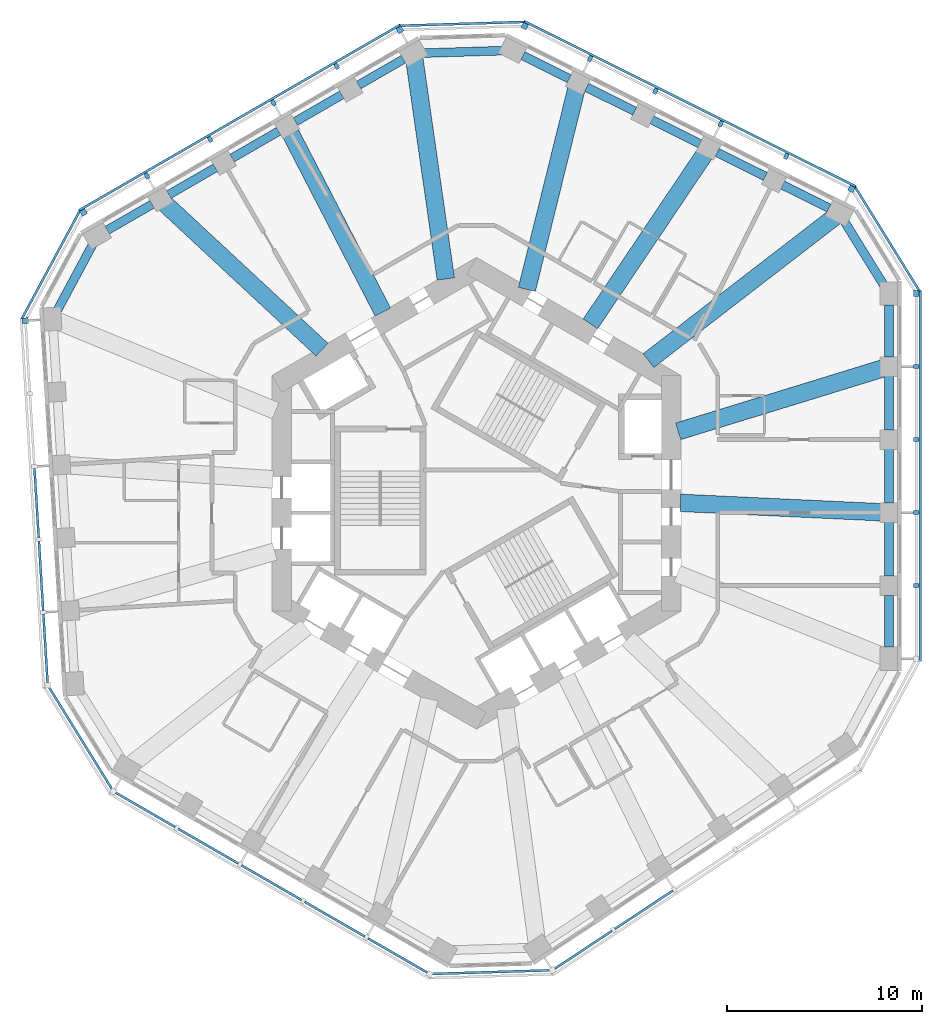
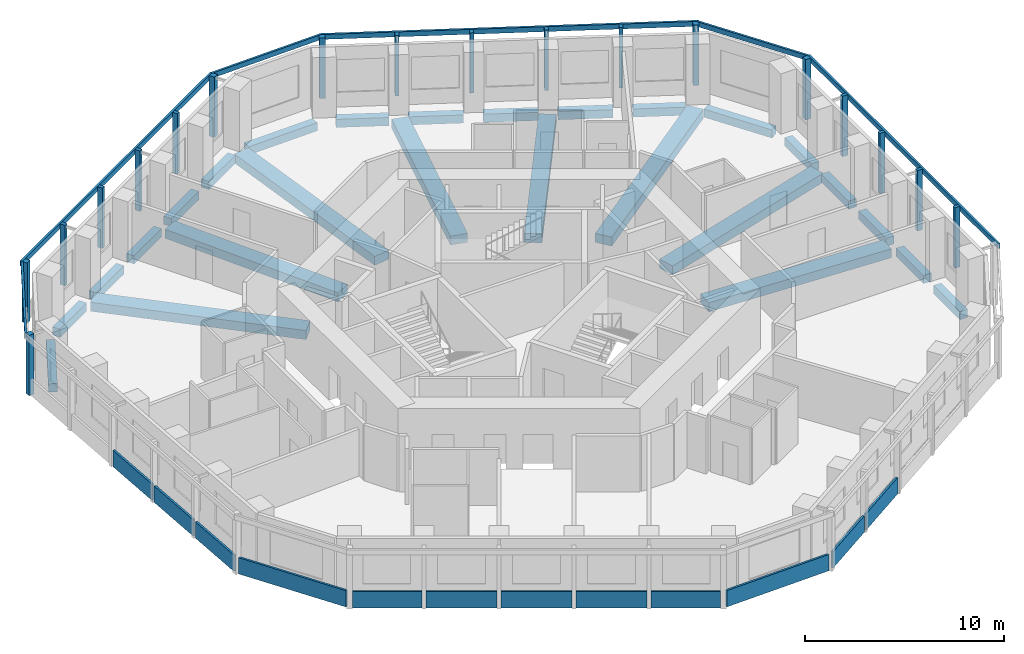
# One storey, part 2 of 11: 26 beams, 24 members, 12 plates, 11 elements without a shape of their own.
"""IFC4 building model written with IfcOpenShell, lengths in metres."""

from ifc_helpers import new_model, si_unit, direction, frame, origin, origin_2d, place, context, subcontext, project, spatial, rectangle, extrude, material, layer, layer_set, material_profile, profile_set, type_object, element, aggregate, save


model = new_model("IFC4")

# Units and contexts
model_context = context("Model", 3, precision=1e-05, world=origin(), true_north=direction((0.0, 1.0)))
body_context = subcontext(model_context, "Body", "Model", "MODEL_VIEW")
ifc_project = project(units=[si_unit("LENGTHUNIT", "METRE"), si_unit("AREAUNIT", "SQUARE_METRE"), si_unit("VOLUMEUNIT", "CUBIC_METRE"), si_unit("PLANEANGLEUNIT", "RADIAN"), si_unit("MASSUNIT", "GRAM", prefix="KILO")], contexts=[model_context])

# Site, building, storey
site_placement = place(None, origin())
site = spatial("IfcSite", under=ifc_project, at=site_placement, CompositionType="ELEMENT")
building_placement = place(site_placement, origin())
building = spatial("IfcBuilding", under=site, at=building_placement, Name="Vanh Sen Convention Tower", CompositionType="ELEMENT")
storey_placement = place(building_placement, frame((0.0, 0.0, 176.199951171875)))
storey = spatial("IfcBuildingStorey", under=building, at=storey_placement, Name="L43", CompositionType="ELEMENT", Elevation=176.199951171875)

# Curtain wall, member
ifc_material_1 = material(Name="Concrete C50/60", Category="concrete")
curtain_wall_type = type_object("IfcCurtainWallType", Name="Outer skin office zone", PredefinedType="NOTDEFINED", material=ifc_material_1)
curtain_wall_1_placement = place(storey_placement, origin())
curtain_wall_1 = element("IfcCurtainWall", 1, at=curtain_wall_1_placement, inside=storey, type_object=curtain_wall_type, Name="OUTER SKIN E L43", PredefinedType="NOTDEFINED")
ifc_material_profile_1 = material_profile(ifc_material_1, rectangle(XDim=0.300048828125, YDim=0.300048828125, at=origin_2d()), Name="Outer skin precast corner fin 300 x 300")
ifc_profile_set_1 = profile_set([ifc_material_profile_1], Name="Concrete C50/60")
member_type_1 = type_object("IfcMemberType", Name="Outer skin precast corner fin 300 x 300", PredefinedType="MULLION", material=ifc_profile_set_1)
member_1_placement = place(storey_placement, frame((22.60009765625, 10.26953125, 0.0), z_axis=(0.0, 0.0, 1.0), x_axis=(0.0, 1.0, 0.0)))
member_1 = element("IfcMember", 2, at=member_1_placement, type_object=member_type_1, Name="OUTER SKIN CORNER FIN 6 E L43", PredefinedType="MULLION", context=body_context, shape_type="SweptSolid", body=[
    extrude(rectangle(XDim=0.300048828125, YDim=0.300048828125, at=origin_2d()), origin(), (0.0, 0.0, 1.0), 3.699951171875),
])

# Curtain wall, members
curtain_wall_2_placement = place(storey_placement, origin())
curtain_wall_2 = element("IfcCurtainWall", 3, at=curtain_wall_2_placement, inside=storey, type_object=curtain_wall_type, Name="OUTER SKIN NE L43", PredefinedType="NOTDEFINED")
member_2_placement = place(storey_placement, frame((19.274658203125, 15.643310546875, 0.0), z_axis=(0.0, 0.0, 1.0), x_axis=(-0.894934361602, 0.44619781311, 0.0)))
member_2 = element("IfcMember", 4, at=member_2_placement, type_object=member_type_1, Name="OUTER SKIN CORNER FIN 1 NE L43", PredefinedType="MULLION", context=body_context, shape_type="SweptSolid", body=[
    extrude(rectangle(XDim=0.300048828125, YDim=0.300048828125, at=origin_2d()), origin(), (0.0, 0.0, 1.0), 3.699951171875),
])
member_3_placement = place(storey_placement, frame((2.476318359375, 24.0185546875, 0.0), z_axis=(0.0, 0.0, 1.0), x_axis=(-0.894934361602, 0.44619781311, 0.0)))
member_3 = element("IfcMember", 5, at=member_3_placement, type_object=member_type_1, Name="OUTER SKIN CORNER FIN 6 NE L43", PredefinedType="MULLION", context=body_context, shape_type="SweptSolid", body=[
    extrude(rectangle(XDim=0.300048828125, YDim=0.300048828125, at=origin_2d()), origin(), (0.0, 0.0, 1.0), 3.699951171875),
])

curtain_wall_3_placement = place(storey_placement, origin())
curtain_wall_3 = element("IfcCurtainWall", 6, at=curtain_wall_3_placement, inside=storey, type_object=curtain_wall_type, Name="OUTER SKIN NW L43", PredefinedType="NOTDEFINED")
member_4_placement = place(storey_placement, frame((-3.93798828125, 23.822509765625, 0.0), z_axis=(0.0, 0.0, 1.0), x_axis=(-0.866025403784, -0.5, 0.0)))
member_4 = element("IfcMember", 7, at=member_4_placement, type_object=member_type_1, Name="OUTER SKIN CORNER FIN 1 NW L43", PredefinedType="MULLION", context=body_context, shape_type="SweptSolid", body=[
    extrude(rectangle(XDim=0.300048828125, YDim=0.300048828125, at=origin_2d()), origin(), (0.0, 0.0, 1.0), 3.699951171875),
])
member_5_placement = place(storey_placement, frame((-20.193603515625, 14.4375, 0.0), z_axis=(0.0, 0.0, 1.0), x_axis=(-0.866025403784, -0.5, 0.0)))
member_5 = element("IfcMember", 8, at=member_5_placement, type_object=member_type_1, Name="OUTER SKIN CORNER FIN 6 NW L43", PredefinedType="MULLION", context=body_context, shape_type="SweptSolid", body=[
    extrude(rectangle(XDim=0.300048828125, YDim=0.300048828125, at=origin_2d()), origin(), (0.0, 0.0, 1.0), 3.699951171875),
])

# Curtain wall, member
curtain_wall_4_placement = place(storey_placement, origin())
curtain_wall_4 = element("IfcCurtainWall", 9, at=curtain_wall_4_placement, inside=storey, type_object=curtain_wall_type, Name="OUTER SKIN W L43", PredefinedType="NOTDEFINED")
member_6_placement = place(storey_placement, frame((-23.184814453125, 8.87060546875, 0.0), z_axis=(0.0, 0.0, 1.0), x_axis=(0.061048539535, -0.998134798422, 0.0)))
member_6 = element("IfcMember", 10, at=member_6_placement, type_object=member_type_1, Name="OUTER SKIN CORNER FIN 1 W L43", PredefinedType="MULLION", context=body_context, shape_type="SweptSolid", body=[
    extrude(rectangle(XDim=0.300048828125, YDim=0.300048828125, at=origin_2d()), origin(), (0.0, 0.0, 1.0), 3.699951171875),
])

# Member
ifc_material_profile_2 = material_profile(ifc_material_1, rectangle(XDim=0.199951171875, YDim=0.300048828125, at=origin_2d()), Name="Outer skin precast fin 200 x 300")
ifc_profile_set_2 = profile_set([ifc_material_profile_2], Name="Concrete C50/60")
member_type_2 = type_object("IfcMemberType", Name="Outer skin precast fin 200 x 300", PredefinedType="MULLION", material=ifc_profile_set_2)
member_7_placement = place(storey_placement, frame((22.60009765625, -4.746826171875, 0.0), z_axis=(0.0, 0.0, 1.0), x_axis=(0.0, 1.0, 0.0)))
member_7 = element("IfcMember", 11, at=member_7_placement, type_object=member_type_2, Name="OUTER SKIN fin 2 E L43", PredefinedType="MULLION", context=body_context, shape_type="SweptSolid", body=[
    extrude(rectangle(XDim=0.199951171875, YDim=0.300048828125, at=origin_2d()), origin(), (0.0, 0.0, 1.0), 3.699951171875),
])

member_8_placement = place(storey_placement, frame((22.60009765625, -0.992919921875, 0.0), z_axis=(0.0, 0.0, 1.0), x_axis=(0.0, 1.0, 0.0)))
member_8 = element("IfcMember", 12, at=member_8_placement, type_object=member_type_2, Name="OUTER SKIN fin 3 E L43", PredefinedType="MULLION", context=body_context, shape_type="SweptSolid", body=[
    extrude(rectangle(XDim=0.199951171875, YDim=0.300048828125, at=origin_2d()), origin(), (0.0, 0.0, 1.0), 3.699951171875),
])

member_9_placement = place(storey_placement, frame((22.60009765625, 2.76123046875, 0.0), z_axis=(0.0, 0.0, 1.0), x_axis=(0.0, 1.0, 0.0)))
member_9 = element("IfcMember", 13, at=member_9_placement, type_object=member_type_2, Name="OUTER SKIN fin 4 E L43", PredefinedType="MULLION", context=body_context, shape_type="SweptSolid", body=[
    extrude(rectangle(XDim=0.199951171875, YDim=0.300048828125, at=origin_2d()), origin(), (0.0, 0.0, 1.0), 3.699951171875),
])

member_10_placement = place(storey_placement, frame((22.60009765625, 6.515380859375, 0.0), z_axis=(0.0, 0.0, 1.0), x_axis=(0.0, 1.0, 0.0)))
member_10 = element("IfcMember", 14, at=member_10_placement, type_object=member_type_2, Name="OUTER SKIN fin 5 E L43", PredefinedType="MULLION", context=body_context, shape_type="SweptSolid", body=[
    extrude(rectangle(XDim=0.199951171875, YDim=0.300048828125, at=origin_2d()), origin(), (0.0, 0.0, 1.0), 3.699951171875),
])

member_11_placement = place(storey_placement, frame((15.9150390625, 17.318359375, 0.0), z_axis=(0.0, 0.0, 1.0), x_axis=(-0.894934361602, 0.44619781311, 0.0)))
member_11 = element("IfcMember", 15, at=member_11_placement, type_object=member_type_2, Name="OUTER SKIN fin 2 NE L43", PredefinedType="MULLION", context=body_context, shape_type="SweptSolid", body=[
    extrude(rectangle(XDim=0.199951171875, YDim=0.300048828125, at=origin_2d()), origin(), (0.0, 0.0, 1.0), 3.699951171875),
])

member_12_placement = place(storey_placement, frame((12.555419921875, 18.993408203125, 0.0), z_axis=(0.0, 0.0, 1.0), x_axis=(-0.894934361602, 0.44619781311, 0.0)))
member_12 = element("IfcMember", 16, at=member_12_placement, type_object=member_type_2, Name="OUTER SKIN fin 3 NE L43", PredefinedType="MULLION", context=body_context, shape_type="SweptSolid", body=[
    extrude(rectangle(XDim=0.199951171875, YDim=0.300048828125, at=origin_2d()), origin(), (0.0, 0.0, 1.0), 3.699951171875),
])

member_13_placement = place(storey_placement, frame((9.195556640625, 20.66845703125, 0.0), z_axis=(0.0, 0.0, 1.0), x_axis=(-0.894934361602, 0.44619781311, 0.0)))
member_13 = element("IfcMember", 17, at=member_13_placement, type_object=member_type_2, Name="OUTER SKIN fin 4 NE L43", PredefinedType="MULLION", context=body_context, shape_type="SweptSolid", body=[
    extrude(rectangle(XDim=0.199951171875, YDim=0.300048828125, at=origin_2d()), origin(), (0.0, 0.0, 1.0), 3.699951171875),
])

member_14_placement = place(storey_placement, frame((5.8359375, 22.343505859375, 0.0), z_axis=(0.0, 0.0, 1.0), x_axis=(-0.894934361602, 0.44619781311, 0.0)))
member_14 = element("IfcMember", 18, at=member_14_placement, type_object=member_type_2, Name="OUTER SKIN fin 5 NE L43", PredefinedType="MULLION", context=body_context, shape_type="SweptSolid", body=[
    extrude(rectangle(XDim=0.199951171875, YDim=0.300048828125, at=origin_2d()), origin(), (0.0, 0.0, 1.0), 3.699951171875),
])

member_15_placement = place(storey_placement, frame((-7.189208984375, 21.945556640625, 0.0), z_axis=(0.0, 0.0, 1.0), x_axis=(-0.866025403784, -0.5, 0.0)))
member_15 = element("IfcMember", 19, at=member_15_placement, type_object=member_type_2, Name="OUTER SKIN fin 2 NW L43", PredefinedType="MULLION", context=body_context, shape_type="SweptSolid", body=[
    extrude(rectangle(XDim=0.199951171875, YDim=0.300048828125, at=origin_2d()), origin(), (0.0, 0.0, 1.0), 3.699951171875),
])

member_16_placement = place(storey_placement, frame((-10.440185546875, 20.068603515625, 0.0), z_axis=(0.0, 0.0, 1.0), x_axis=(-0.866025403784, -0.5, 0.0)))
member_16 = element("IfcMember", 20, at=member_16_placement, type_object=member_type_2, Name="OUTER SKIN fin 3 NW L43", PredefinedType="MULLION", context=body_context, shape_type="SweptSolid", body=[
    extrude(rectangle(XDim=0.199951171875, YDim=0.300048828125, at=origin_2d()), origin(), (0.0, 0.0, 1.0), 3.699951171875),
])

member_17_placement = place(storey_placement, frame((-13.69140625, 18.19140625, 0.0), z_axis=(0.0, 0.0, 1.0), x_axis=(-0.866025403784, -0.5, 0.0)))
member_17 = element("IfcMember", 21, at=member_17_placement, type_object=member_type_2, Name="OUTER SKIN fin 4 NW L43", PredefinedType="MULLION", context=body_context, shape_type="SweptSolid", body=[
    extrude(rectangle(XDim=0.199951171875, YDim=0.300048828125, at=origin_2d()), origin(), (0.0, 0.0, 1.0), 3.699951171875),
])

member_18_placement = place(storey_placement, frame((-16.9423828125, 16.314453125, 0.0), z_axis=(0.0, 0.0, 1.0), x_axis=(-0.866025403784, -0.5, 0.0)))
member_18 = element("IfcMember", 22, at=member_18_placement, type_object=member_type_2, Name="OUTER SKIN fin 5 NW L43", PredefinedType="MULLION", context=body_context, shape_type="SweptSolid", body=[
    extrude(rectangle(XDim=0.199951171875, YDim=0.300048828125, at=origin_2d()), origin(), (0.0, 0.0, 1.0), 3.699951171875),
])

ifc_material_profile_3 = material_profile(ifc_material_1, rectangle(XDim=0.1201171875, YDim=0.300048828125, at=origin_2d()), Name="Outer skin precast spandrel band 300 x 120")
ifc_profile_set_3 = profile_set([ifc_material_profile_3], Name="Concrete C50/60")
member_type_3 = type_object("IfcMemberType", Name="Outer skin precast spandrel band 300 x 120", PredefinedType="USERDEFINED", material=ifc_profile_set_3)
member_19_placement = place(storey_placement, frame((22.81005859375, -8.65087890625, 3.550048828125), z_axis=(0.0, 1.0, 0.0), x_axis=(-1.0, 0.0, 0.0)))
member_19 = element("IfcMember", 23, at=member_19_placement, type_object=member_type_3, Name="OUTER SKIN spandrel band E L43", ObjectType="TRANSOM", PredefinedType="USERDEFINED", context=body_context, shape_type="SweptSolid", body=[
    extrude(rectangle(XDim=0.1201171875, YDim=0.300048828125, at=origin_2d()), origin(), (0.0, 0.0, 1.0), 19.0703125),
])

aggregate(curtain_wall_1, [member_7, member_8, member_9, member_10, member_1, member_19])

# Curtain wall, member
curtain_wall_5_placement = place(storey_placement, origin())
curtain_wall_5 = element("IfcCurtainWall", 24, at=curtain_wall_5_placement, inside=storey, type_object=curtain_wall_type, Name="OUTER SKIN CH1 L43", PredefinedType="NOTDEFINED")
member_20_placement = place(storey_placement, frame((22.778564453125, 10.3798828125, 3.550048828125), z_axis=(-0.526173726926, 0.850377098171, 0.0), x_axis=(-0.850377098171, -0.526173726926, 0.0)))
member_20 = element("IfcMember", 25, at=member_20_placement, type_object=member_type_3, Name="OUTER SKIN spandrel band CH1 L43", ObjectType="TRANSOM", PredefinedType="USERDEFINED", context=body_context, shape_type="SweptSolid", body=[
    extrude(rectangle(XDim=0.1201171875, YDim=0.300048828125, at=origin_2d()), origin(), (0.0, 0.0, 1.0), 6.319580078125),
])
aggregate(curtain_wall_5, [member_20])

# Member
member_21_placement = place(storey_placement, frame((19.502685546875, 15.764404296875, 3.550048828125), z_axis=(-0.894941234474, 0.446184027996, 0.0), x_axis=(-0.446184027996, -0.894941234474, 0.0)))
member_21 = element("IfcMember", 26, at=member_21_placement, type_object=member_type_3, Name="OUTER SKIN spandrel band NE L43", ObjectType="TRANSOM", PredefinedType="USERDEFINED", context=body_context, shape_type="SweptSolid", body=[
    extrude(rectangle(XDim=0.1201171875, YDim=0.300048828125, at=origin_2d()), origin(), (0.0, 0.0, 1.0), 19.07080078125),
])

aggregate(curtain_wall_2, [member_2, member_11, member_12, member_13, member_14, member_3, member_21])

# Curtain wall, member
curtain_wall_6_placement = place(storey_placement, origin())
curtain_wall_6 = element("IfcCurtainWall", 27, at=curtain_wall_6_placement, inside=storey, type_object=curtain_wall_type, Name="OUTER SKIN CH2 L43", PredefinedType="NOTDEFINED")
member_22_placement = place(storey_placement, frame((2.4697265625, 24.228515625, 3.550048828125), z_axis=(-0.999533221695, -0.030550592913, 0.0), x_axis=(0.030550592913, -0.999533221695, 0.0)))
member_22 = element("IfcMember", 28, at=member_22_placement, type_object=member_type_3, Name="OUTER SKIN spandrel band CH2 L43", ObjectType="TRANSOM", PredefinedType="USERDEFINED", context=body_context, shape_type="SweptSolid", body=[
    extrude(rectangle(XDim=0.1201171875, YDim=0.300048828125, at=origin_2d()), origin(), (0.0, 0.0, 1.0), 6.4169921875),
])
aggregate(curtain_wall_6, [member_22])

# Member
member_23_placement = place(storey_placement, frame((-3.9130859375, 24.07958984375, 3.550048828125), z_axis=(-0.866023136587, -0.500003926881, 0.0), x_axis=(0.500003926881, -0.866023136587, 0.0)))
member_23 = element("IfcMember", 29, at=member_23_placement, type_object=member_type_3, Name="OUTER SKIN spandrel band NW L43", ObjectType="TRANSOM", PredefinedType="USERDEFINED", context=body_context, shape_type="SweptSolid", body=[
    extrude(rectangle(XDim=0.1201171875, YDim=0.300048828125, at=origin_2d()), origin(), (0.0, 0.0, 1.0), 19.070556640625),
])

aggregate(curtain_wall_3, [member_4, member_15, member_16, member_17, member_18, member_5, member_23])

# Curtain wall, member
curtain_wall_7_placement = place(storey_placement, origin())
curtain_wall_7 = element("IfcCurtainWall", 30, at=curtain_wall_7_placement, inside=storey, type_object=curtain_wall_type, Name="OUTER SKIN CH3 L43", PredefinedType="NOTDEFINED")
member_24_placement = place(storey_placement, frame((-20.378662109375, 14.536865234375, 3.550048828125), z_axis=(-0.47333707755, -0.880881383057, 0.0), x_axis=(0.880881383057, -0.47333707755, 0.0)))
member_24 = element("IfcMember", 31, at=member_24_placement, type_object=member_type_3, Name="OUTER SKIN spandrel band CH3 L43", ObjectType="TRANSOM", PredefinedType="USERDEFINED", context=body_context, shape_type="SweptSolid", body=[
    extrude(rectangle(XDim=0.1201171875, YDim=0.300048828125, at=origin_2d()), origin(), (0.0, 0.0, 1.0), 6.3193359375),
])
aggregate(curtain_wall_7, [member_24])

# Beams
ifc_material_2 = material(Name="Concrete C50/60", Category="concrete")
ifc_material_profile_4 = material_profile(ifc_material_2, rectangle(XDim=0.89990234375, YDim=0.550048828125, at=origin_2d()), Name="RC 900X550")
ifc_profile_set_4 = profile_set([ifc_material_profile_4], Name="Concrete C50/60")
beam_type_1 = type_object("IfcBeamType", Name="Radial floor beam 900 x 550", PredefinedType="BEAM", material=ifc_profile_set_4)
beam_1_placement = place(storey_placement, frame((20.77587890625, -0.972900390625, -0.554931640625), z_axis=(-0.998905318596, 0.046777820399, 0.0), x_axis=(-0.046777820399, -0.998905318596, 0.0)))
element("IfcBeam", 32, at=beam_1_placement, inside=storey, type_object=beam_type_1, Name="Radial beam 02 L43", PredefinedType="BEAM", context=body_context, shape_type="SweptSolid", body=[
    extrude(rectangle(XDim=0.89990234375, YDim=0.550048828125, at=origin_2d()), origin(), (0.0, 0.0, 1.0), 10.31298828125),
])
beam_2_placement = place(storey_placement, frame((20.9775390625, 6.447021484375, -0.554931640625), z_axis=(-0.955874982074, -0.29377375418, 0.0), x_axis=(0.29377375418, -0.955874982074, 0.0)))
element("IfcBeam", 33, at=beam_2_placement, inside=storey, type_object=beam_type_1, Name="Radial beam 03 L43", PredefinedType="BEAM", context=body_context, shape_type="SweptSolid", body=[
    extrude(rectangle(XDim=0.89990234375, YDim=0.550048828125, at=origin_2d()), origin(), (0.0, 0.0, 1.0), 11.1044921875),
])
beam_3_placement = place(storey_placement, frame((18.4306640625, 14.22119140625, -0.554931640625), z_axis=(-0.791711533114, -0.610895120568, 0.0), x_axis=(0.610895120568, -0.791711533114, 0.0)))
element("IfcBeam", 34, at=beam_3_placement, inside=storey, type_object=beam_type_1, Name="Radial beam 04 L43", PredefinedType="BEAM", context=body_context, shape_type="SweptSolid", body=[
    extrude(rectangle(XDim=0.89990234375, YDim=0.550048828125, at=origin_2d()), origin(), (0.0, 0.0, 1.0), 12.11669921875),
])
beam_4_placement = place(storey_placement, frame((11.712890625, 17.416748046875, -0.554931640625), z_axis=(-0.558049212229, -0.829807855308, 0.0), x_axis=(0.829807855308, -0.558049212229, 0.0)))
element("IfcBeam", 35, at=beam_4_placement, inside=storey, type_object=beam_type_1, Name="Radial beam 05 L43", PredefinedType="BEAM", context=body_context, shape_type="SweptSolid", body=[
    extrude(rectangle(XDim=0.89990234375, YDim=0.550048828125, at=origin_2d()), origin(), (0.0, 0.0, 1.0), 10.500244140625),
])
beam_5_placement = place(storey_placement, frame((5.1455078125, 20.824951171875, -0.554931640625), z_axis=(-0.239866381143, -0.970805912218, 0.0), x_axis=(0.970805912218, -0.239866381143, 0.0)))
element("IfcBeam", 36, at=beam_5_placement, inside=storey, type_object=beam_type_1, Name="Radial beam 06 L43", PredefinedType="BEAM", context=body_context, shape_type="SweptSolid", body=[
    extrude(rectangle(XDim=0.89990234375, YDim=0.550048828125, at=origin_2d()), origin(), (0.0, 0.0, 1.0), 10.656494140625),
])
beam_6_placement = place(storey_placement, frame((-3.195556640625, 22.31396484375, -0.554931640625), z_axis=(0.141765709165, -0.989900239269, 0.0), x_axis=(0.989900239269, 0.141765709165, 0.0)))
element("IfcBeam", 37, at=beam_6_placement, inside=storey, type_object=beam_type_1, Name="Radial beam 07 L43", PredefinedType="BEAM", context=body_context, shape_type="SweptSolid", body=[
    extrude(rectangle(XDim=0.89990234375, YDim=0.550048828125, at=origin_2d()), origin(), (0.0, 0.0, 1.0), 11.414306640625),
])
beam_7_placement = place(storey_placement, frame((-9.54541015625, 18.47900390625, -0.554931640625), z_axis=(0.458935346364, -0.888469666257, 0.0), x_axis=(0.888469666257, 0.458935346364, 0.0)))
element("IfcBeam", 38, at=beam_7_placement, inside=storey, type_object=beam_type_1, Name="Radial beam 08 L43", PredefinedType="BEAM", context=body_context, shape_type="SweptSolid", body=[
    extrude(rectangle(XDim=0.89990234375, YDim=0.550048828125, at=origin_2d()), origin(), (0.0, 0.0, 1.0), 10.313232421875),
])
beam_8_placement = place(storey_placement, frame((-16.072021484375, 14.943603515625, -0.554931640625), z_axis=(0.732340727094, -0.680938366843, 0.0), x_axis=(0.680938366843, 0.732340727094, 0.0)))
element("IfcBeam", 39, at=beam_8_placement, inside=storey, type_object=beam_type_1, Name="Radial beam 09 L43", PredefinedType="BEAM", context=body_context, shape_type="SweptSolid", body=[
    extrude(rectangle(XDim=0.89990234375, YDim=0.550048828125, at=origin_2d()), origin(), (0.0, 0.0, 1.0), 11.1044921875),
])
ifc_material_profile_5 = material_profile(ifc_material_2, rectangle(XDim=0.449951171875, YDim=0.5, at=origin_2d()), Name="RC 450X500")
ifc_profile_set_5 = profile_set([ifc_material_profile_5], Name="Concrete C50/60")
beam_type_2 = type_object("IfcBeamType", Name="Spandrel beam 450 x 500", PredefinedType="SPANDREL", material=ifc_profile_set_5)
beam_9_placement = place(storey_placement, frame((21.199951171875, -7.906005859375, -0.530029296875), z_axis=(0.0, 1.0, 0.0), x_axis=(-1.0, 0.0, 0.0)))
element("IfcBeam", 40, at=beam_9_placement, inside=storey, type_object=beam_type_2, Name="Spandrel beam 01 L43", PredefinedType="SPANDREL", context=body_context, shape_type="SweptSolid", body=[
    extrude(rectangle(XDim=0.449951171875, YDim=0.5, at=origin_2d()), origin(), (0.0, 0.0, 1.0), 2.6640625),
])
for number, where, z_axis, x_axis, name in (
    (41, (21.199951171875, -4.251953125, -0.530029296875), (0.0, 1.0, 0.0), (-1.0, 0.0, 0.0), "Spandrel beam 02 L43"),
    (42, (21.199951171875, -0.497802734375, -0.530029296875), (0.0, 1.0, 0.0), (-1.0, 0.0, 0.0), "Spandrel beam 03 L43"),
    (43, (21.199951171875, 3.25634765625, -0.530029296875), (0.0, 1.0, 0.0), (-1.0, 0.0, 0.0), "Spandrel beam 04 L43"),
):
    element("IfcBeam", number, at=place(storey_placement, frame(where, z_axis=z_axis, x_axis=x_axis)), inside=storey, type_object=beam_type_2, Name=name, PredefinedType="SPANDREL", context=body_context, shape_type="SweptSolid", body=[
        extrude(rectangle(XDim=0.449951171875, YDim=0.5, at=origin_2d()), origin(), (0.0, 0.0, 1.0), 2.76416015625),
    ])
beam_10_placement = place(storey_placement, frame((21.199951171875, 7.010498046875, -0.530029296875), z_axis=(0.0, 1.0, 0.0), x_axis=(-1.0, 0.0, 0.0)))
element("IfcBeam", 44, at=beam_10_placement, inside=storey, type_object=beam_type_2, Name="Spandrel beam 05 L43", PredefinedType="SPANDREL", context=body_context, shape_type="SweptSolid", body=[
    extrude(rectangle(XDim=0.449951171875, YDim=0.5, at=origin_2d()), origin(), (0.0, 0.0, 1.0), 2.6640625),
])
beam_11_placement = place(storey_placement, frame((20.944091796875, 10.683349609375, -0.530029296875), z_axis=(-0.526220063476, 0.850348425526, 0.0), x_axis=(-0.850348425526, -0.526220063476, 0.0)))
element("IfcBeam", 45, at=beam_11_placement, inside=storey, type_object=beam_type_2, Name="Spandrel beam 06 L43", PredefinedType="SPANDREL", context=body_context, shape_type="SweptSolid", body=[
    extrude(rectangle(XDim=0.449951171875, YDim=0.5, at=origin_2d()), origin(), (0.0, 0.0, 1.0), 3.873046875),
])
beam_12_placement = place(storey_placement, frame((18.117431640625, 14.656005859375, -0.530029296875), z_axis=(-0.894958126718, 0.446150144482, 0.0), x_axis=(-0.446150144482, -0.894958126718, 0.0)))
element("IfcBeam", 46, at=beam_12_placement, inside=storey, type_object=beam_type_2, Name="Spandrel beam 07 L43", PredefinedType="SPANDREL", context=body_context, shape_type="SweptSolid", body=[
    extrude(rectangle(XDim=0.449951171875, YDim=0.5, at=origin_2d()), origin(), (0.0, 0.0, 1.0), 2.663818359375),
])
beam_13_placement = place(storey_placement, frame((14.847412109375, 16.286376953125, -0.530029296875), z_axis=(-0.894974121341, 0.446118058511, 0.0), x_axis=(-0.446118058511, -0.894974121341, 0.0)))
element("IfcBeam", 47, at=beam_13_placement, inside=storey, type_object=beam_type_2, Name="Spandrel beam 08 L43", PredefinedType="SPANDREL", context=body_context, shape_type="SweptSolid", body=[
    extrude(rectangle(XDim=0.449951171875, YDim=0.5, at=origin_2d()), origin(), (0.0, 0.0, 1.0), 2.76416015625),
])
beam_14_placement = place(storey_placement, frame((11.487548828125, 17.96142578125, -0.530029296875), z_axis=(-0.894956541152, 0.446153325045, 0.0), x_axis=(-0.446153325045, -0.894956541152, 0.0)))
element("IfcBeam", 48, at=beam_14_placement, inside=storey, type_object=beam_type_2, Name="Spandrel beam 09 L43", PredefinedType="SPANDREL", context=body_context, shape_type="SweptSolid", body=[
    extrude(rectangle(XDim=0.449951171875, YDim=0.5, at=origin_2d()), origin(), (0.0, 0.0, 1.0), 2.763916015625),
])
beam_15_placement = place(storey_placement, frame((8.1279296875, 19.636474609375, -0.530029296875), z_axis=(-0.89492127077, 0.446224068292, 0.0), x_axis=(-0.446224068292, -0.89492127077, 0.0)))
element("IfcBeam", 49, at=beam_15_placement, inside=storey, type_object=beam_type_2, Name="Spandrel beam 10 L43", PredefinedType="SPANDREL", context=body_context, shape_type="SweptSolid", body=[
    extrude(rectangle(XDim=0.449951171875, YDim=0.5, at=origin_2d()), origin(), (0.0, 0.0, 1.0), 2.76416015625),
])
beam_16_placement = place(storey_placement, frame((4.768310546875, 21.3115234375, -0.530029296875), z_axis=(-0.894939776695, 0.446186951948, 0.0), x_axis=(-0.446186951948, -0.894939776695, 0.0)))
element("IfcBeam", 50, at=beam_16_placement, inside=storey, type_object=beam_type_2, Name="Spandrel beam 11 L43", PredefinedType="SPANDREL", context=body_context, shape_type="SweptSolid", body=[
    extrude(rectangle(XDim=0.449951171875, YDim=0.5, at=origin_2d()), origin(), (0.0, 0.0, 1.0), 2.6640625),
])
beam_17_placement = place(storey_placement, frame((1.32470703125, 22.74951171875, -0.530029296875), z_axis=(-0.999533715833, -0.030534421783, 0.0), x_axis=(0.030534421783, -0.999533715833, 0.0)))
element("IfcBeam", 51, at=beam_17_placement, inside=storey, type_object=beam_type_2, Name="Spandrel beam 12 L43", PredefinedType="SPANDREL", context=body_context, shape_type="SweptSolid", body=[
    extrude(rectangle(XDim=0.449951171875, YDim=0.5, at=origin_2d()), origin(), (0.0, 0.0, 1.0), 4.037841796875),
])
beam_18_placement = place(storey_placement, frame((-3.753173828125, 22.312744140625, -0.530029296875), z_axis=(-0.866023818221, -0.500002746266, 0.0), x_axis=(0.500002746266, -0.866023818221, 0.0)))
element("IfcBeam", 52, at=beam_18_placement, inside=storey, type_object=beam_type_2, Name="Spandrel beam 13 L43", PredefinedType="SPANDREL", context=body_context, shape_type="SweptSolid", body=[
    extrude(rectangle(XDim=0.449951171875, YDim=0.5, at=origin_2d()), origin(), (0.0, 0.0, 1.0), 2.6640625),
])
for number, where, z_axis, x_axis, name in (
    (53, (-6.917724609375, 20.485595703125, -0.530029296875), (-0.866022320763, -0.500005339912, 0.0), (0.500005339912, -0.866022320763, 0.0), "Spandrel beam 14 L43"),
    (54, (-10.1689453125, 18.608642578125, -0.530029296875), (-0.866022320763, -0.500005339912, 0.0), (0.500005339912, -0.866022320763, 0.0), "Spandrel beam 15 L43"),
):
    element("IfcBeam", number, at=place(storey_placement, frame(where, z_axis=z_axis, x_axis=x_axis)), inside=storey, type_object=beam_type_2, Name=name, PredefinedType="SPANDREL", context=body_context, shape_type="SweptSolid", body=[
        extrude(rectangle(XDim=0.449951171875, YDim=0.5, at=origin_2d()), origin(), (0.0, 0.0, 1.0), 2.76416015625),
    ])
beam_19_placement = place(storey_placement, frame((-13.420166015625, 16.731689453125, -0.530029296875), z_axis=(-0.866000236617, -0.500043588279, 0.0), x_axis=(0.500043588279, -0.866000236617, 0.0)))
element("IfcBeam", 55, at=beam_19_placement, inside=storey, type_object=beam_type_2, Name="Spandrel beam 16 L43", PredefinedType="SPANDREL", context=body_context, shape_type="SweptSolid", body=[
    extrude(rectangle(XDim=0.449951171875, YDim=0.5, at=origin_2d()), origin(), (0.0, 0.0, 1.0), 2.763916015625),
])
beam_20_placement = place(storey_placement, frame((-16.671142578125, 14.8544921875, -0.530029296875), z_axis=(-0.866046726429, -0.499963066278, 0.0), x_axis=(0.499963066278, -0.866046726429, 0.0)))
element("IfcBeam", 56, at=beam_20_placement, inside=storey, type_object=beam_type_2, Name="Spandrel beam 17 L43", PredefinedType="SPANDREL", context=body_context, shape_type="SweptSolid", body=[
    extrude(rectangle(XDim=0.449951171875, YDim=0.5, at=origin_2d()), origin(), (0.0, 0.0, 1.0), 2.664306640625),
])
beam_21_placement = place(storey_placement, frame((-19.72412109375, 12.79638671875, -0.530029296875), z_axis=(-0.473295157781, -0.880903907144, 0.0), x_axis=(0.880903907144, -0.473295157781, 0.0)))
element("IfcBeam", 57, at=beam_21_placement, inside=storey, type_object=beam_type_2, Name="Spandrel beam 18 L43", PredefinedType="SPANDREL", context=body_context, shape_type="SweptSolid", body=[
    extrude(rectangle(XDim=0.449951171875, YDim=0.5, at=origin_2d()), origin(), (0.0, 0.0, 1.0), 3.872802734375),
])

# Plate
ifc_layer = layer(ifc_material_1, 0.1201171875)
ifc_layer_set = layer_set([ifc_layer], Name="Concrete C50/60")
plate_type = type_object("IfcPlateType", Name="Outer skin precast screen panel 120", PredefinedType="CURTAIN_PANEL", material=ifc_layer_set)
plate_1_placement = place(storey_placement, frame((-22.61181640625, -0.4970703125, 0.0), z_axis=(0.0, 0.0, 1.0), x_axis=(0.061053765756, -0.998134478759, 0.0)))
plate_1 = element("IfcPlate", 58, at=plate_1_placement, type_object=plate_type, Name="OUTER SKIN screen panel W-3", PredefinedType="CURTAIN_PANEL", context=body_context, shape_type="SweptSolid", body=[
    extrude(rectangle(XDim=3.55419921875, YDim=0.1201171875, at=origin_2d()), origin(), (0.0, 0.0, 1.0), 1.0),
])

plate_2_placement = place(storey_placement, frame((-22.382568359375, -4.244140625, 0.0), z_axis=(0.0, 0.0, 1.0), x_axis=(0.061025892559, -0.998136183312, 0.0)))
plate_2 = element("IfcPlate", 59, at=plate_2_placement, type_object=plate_type, Name="OUTER SKIN screen panel W-4", PredefinedType="CURTAIN_PANEL", context=body_context, shape_type="SweptSolid", body=[
    extrude(rectangle(XDim=3.55419921875, YDim=0.1201171875, at=origin_2d()), origin(), (0.0, 0.0, 1.0), 1.0),
])

plate_3_placement = place(storey_placement, frame((-22.155029296875, -7.96630859375, 0.0), z_axis=(0.0, 0.0, 1.0), x_axis=(0.061053765756, -0.998134478759, 0.0)))
plate_3 = element("IfcPlate", 60, at=plate_3_placement, type_object=plate_type, Name="OUTER SKIN screen panel W-5", PredefinedType="CURTAIN_PANEL", context=body_context, shape_type="SweptSolid", body=[
    extrude(rectangle(XDim=3.504150390625, YDim=0.1201171875, at=origin_2d()), origin(), (0.0, 0.0, 1.0), 1.0),
])

aggregate(curtain_wall_4, [member_6, plate_1, plate_2, plate_3])

# Curtain wall, plate
curtain_wall_8_placement = place(storey_placement, origin())
curtain_wall_8 = element("IfcCurtainWall", 61, at=curtain_wall_8_placement, inside=storey, type_object=curtain_wall_type, Name="OUTER SKIN CH4 L43", PredefinedType="NOTDEFINED")
plate_4_placement = place(storey_placement, frame((-20.3505859375, -12.59326171875, 0.0), z_axis=(0.0, 0.0, 1.0), x_axis=(0.526218376078, -0.850349469734, 0.0)))
plate_4 = element("IfcPlate", 62, at=plate_4_placement, type_object=plate_type, Name="OUTER SKIN screen panel CH4-1", PredefinedType="CURTAIN_PANEL", context=body_context, shape_type="SweptSolid", body=[
    extrude(rectangle(XDim=6.1171875, YDim=0.1201171875, at=origin_2d()), origin(), (0.0, 0.0, 1.0), 1.0),
])
aggregate(curtain_wall_8, [plate_4])

# Curtain wall, plates
curtain_wall_9_placement = place(storey_placement, origin())
curtain_wall_9 = element("IfcCurtainWall", 63, at=curtain_wall_9_placement, inside=storey, type_object=curtain_wall_type, Name="OUTER SKIN SW L43", PredefinedType="NOTDEFINED")
plate_5_placement = place(storey_placement, frame((-17.014892578125, -16.272705078125, 0.0), z_axis=(0.0, 0.0, 1.0), x_axis=(0.86602365845, -0.500003022996, 0.0)))
plate_5 = element("IfcPlate", 64, at=plate_5_placement, type_object=plate_type, Name="OUTER SKIN screen panel SW-1", PredefinedType="CURTAIN_PANEL", context=body_context, shape_type="SweptSolid", body=[
    extrude(rectangle(XDim=3.504150390625, YDim=0.1201171875, at=origin_2d()), origin(), (0.0, 0.0, 1.0), 1.0),
])
plate_6_placement = place(storey_placement, frame((-13.785400390625, -18.13720703125, 0.0), z_axis=(0.0, 0.0, 1.0), x_axis=(0.866028021766, -0.499995465495, 0.0)))
plate_6 = element("IfcPlate", 65, at=plate_6_placement, type_object=plate_type, Name="OUTER SKIN screen panel SW-2", PredefinedType="CURTAIN_PANEL", context=body_context, shape_type="SweptSolid", body=[
    extrude(rectangle(XDim=3.553955078125, YDim=0.1201171875, at=origin_2d()), origin(), (0.0, 0.0, 1.0), 1.0),
])
plate_7_placement = place(storey_placement, frame((-10.5341796875, -20.014404296875, 0.0), z_axis=(0.0, 0.0, 1.0), x_axis=(0.86602365845, -0.500003022996, 0.0)))
plate_7 = element("IfcPlate", 66, at=plate_7_placement, type_object=plate_type, Name="OUTER SKIN screen panel SW-3", PredefinedType="CURTAIN_PANEL", context=body_context, shape_type="SweptSolid", body=[
    extrude(rectangle(XDim=3.55419921875, YDim=0.1201171875, at=origin_2d()), origin(), (0.0, 0.0, 1.0), 1.0),
])
plate_8_placement = place(storey_placement, frame((-7.283203125, -21.891357421875, 0.0), z_axis=(0.0, 0.0, 1.0), x_axis=(0.866016677006, -0.500015114919, 0.0)))
plate_8 = element("IfcPlate", 67, at=plate_8_placement, type_object=plate_type, Name="OUTER SKIN screen panel SW-4", PredefinedType="CURTAIN_PANEL", context=body_context, shape_type="SweptSolid", body=[
    extrude(rectangle(XDim=3.55419921875, YDim=0.1201171875, at=origin_2d()), origin(), (0.0, 0.0, 1.0), 1.0),
])
plate_9_placement = place(storey_placement, frame((-4.0537109375, -23.755859375, 0.0), z_axis=(0.0, 0.0, 1.0), x_axis=(0.866035002936, -0.499983373414, 0.0)))
plate_9 = element("IfcPlate", 68, at=plate_9_placement, type_object=plate_type, Name="OUTER SKIN screen panel SW-5", PredefinedType="CURTAIN_PANEL", context=body_context, shape_type="SweptSolid", body=[
    extrude(rectangle(XDim=3.504150390625, YDim=0.1201171875, at=origin_2d()), origin(), (0.0, 0.0, 1.0), 1.0),
])
aggregate(curtain_wall_9, [plate_5, plate_6, plate_7, plate_8, plate_9])

# Curtain wall, plate
curtain_wall_10_placement = place(storey_placement, origin())
curtain_wall_10 = element("IfcCurtainWall", 69, at=curtain_wall_10_placement, inside=storey, type_object=curtain_wall_type, Name="OUTER SKIN CH5 L43", PredefinedType="NOTDEFINED")
plate_10_placement = place(storey_placement, frame((0.751953125, -24.6103515625, 0.0), z_axis=(0.0, 0.0, 1.0), x_axis=(0.999533537535, 0.030540257725, 0.0)))
plate_10 = element("IfcPlate", 70, at=plate_10_placement, type_object=plate_type, Name="OUTER SKIN screen panel CH5-1", PredefinedType="CURTAIN_PANEL", context=body_context, shape_type="SweptSolid", body=[
    extrude(rectangle(XDim=6.019287109375, YDim=0.1201171875, at=origin_2d()), origin(), (0.0, 0.0, 1.0), 1.0),
])
aggregate(curtain_wall_10, [plate_10])

# Curtain wall, plates
curtain_wall_11_placement = place(storey_placement, origin())
curtain_wall_11 = element("IfcCurtainWall", 71, at=curtain_wall_11_placement, inside=storey, type_object=curtain_wall_type, Name="OUTER SKIN SE L43", PredefinedType="NOTDEFINED")
plate_11_placement = place(storey_placement, frame((5.49609375, -23.464111328125, 0.0), z_axis=(0.0, 0.0, 1.0), x_axis=(0.833889675294, 0.551931163677, 0.0)))
plate_11 = element("IfcPlate", 72, at=plate_11_placement, type_object=plate_type, Name="OUTER SKIN screen panel SE-1", PredefinedType="CURTAIN_PANEL", context=body_context, shape_type="SweptSolid", body=[
    extrude(rectangle(XDim=3.504150390625, YDim=0.1201171875, at=origin_2d()), origin(), (0.0, 0.0, 1.0), 1.0),
])
plate_12_placement = place(storey_placement, frame((8.60595703125, -21.406005859375, 0.0), z_axis=(0.0, 0.0, 1.0), x_axis=(0.833889675294, 0.551931163677, 0.0)))
plate_12 = element("IfcPlate", 73, at=plate_12_placement, type_object=plate_type, Name="OUTER SKIN screen panel SE-2", PredefinedType="CURTAIN_PANEL", context=body_context, shape_type="SweptSolid", body=[
    extrude(rectangle(XDim=3.55419921875, YDim=0.1201171875, at=origin_2d()), origin(), (0.0, 0.0, 1.0), 1.0),
])
aggregate(curtain_wall_11, [plate_11, plate_12])

save(model, "model.ifc")
